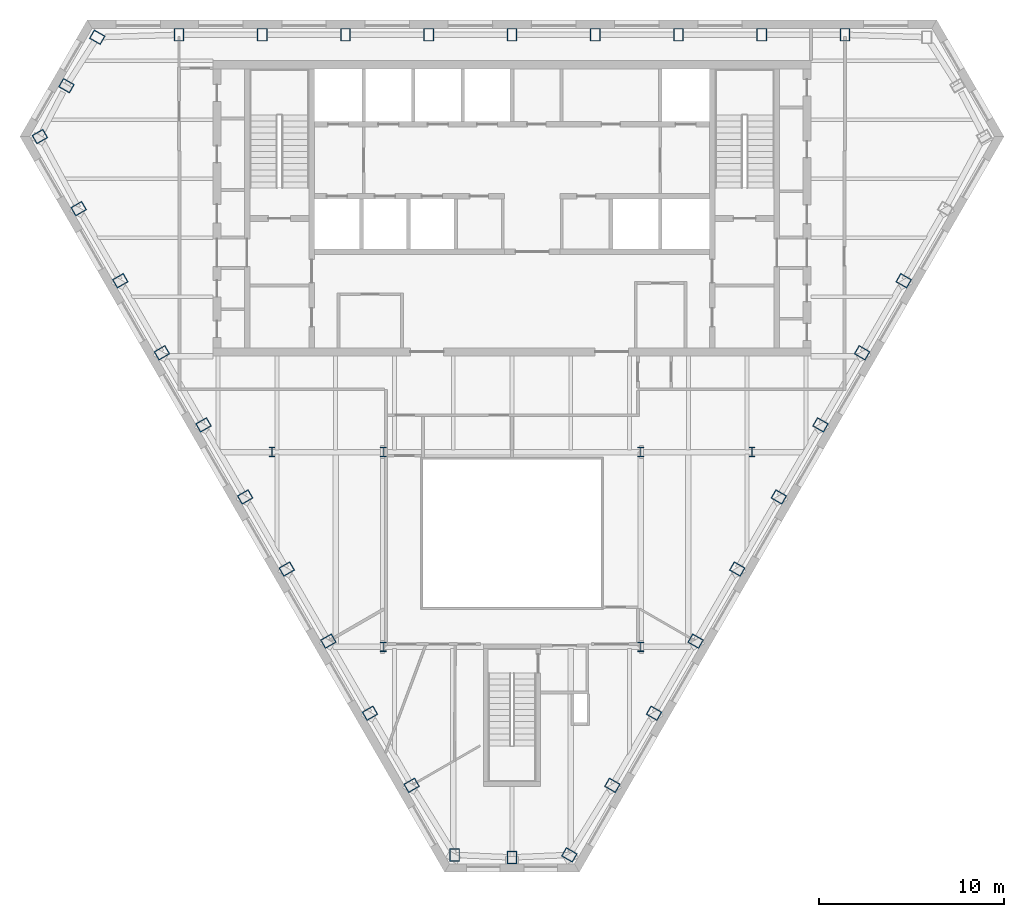
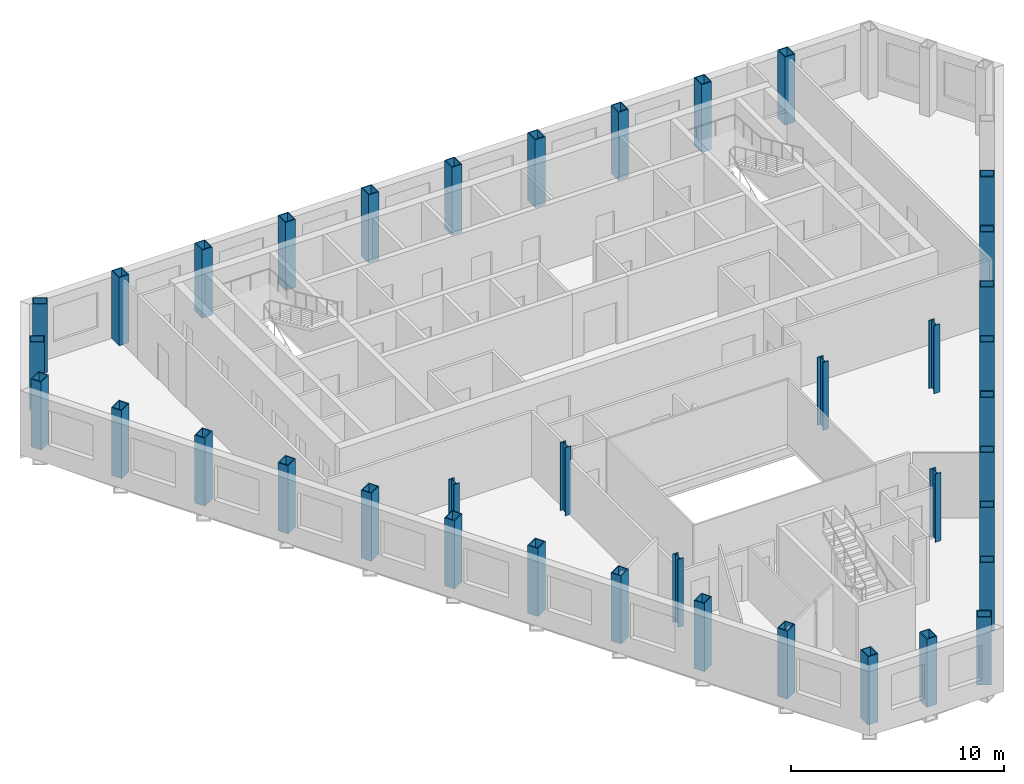
# One storey, part 1 of 11: 38 columns.
"""IFC4 building model written with IfcOpenShell, lengths in metres."""

from ifc_helpers import new_model, si_unit, direction, frame, origin, origin_2d, place, context, subcontext, project, spatial, hollow_rectangle, i_section, extrude, material, material_profile, profile_set, type_object, element, save


model = new_model("IFC4")

# Units and contexts
model_context = context("Model", 3, precision=1e-05, world=origin(), true_north=direction((0.0, 1.0)))
body_context = subcontext(model_context, "Body", "Model", "MODEL_VIEW")
ifc_project = project(units=[si_unit("LENGTHUNIT", "METRE"), si_unit("AREAUNIT", "SQUARE_METRE"), si_unit("VOLUMEUNIT", "CUBIC_METRE"), si_unit("PLANEANGLEUNIT", "RADIAN"), si_unit("MASSUNIT", "GRAM", prefix="KILO")], contexts=[model_context])

# Site, building, storey
site_placement = place(None, origin())
site = spatial("IfcSite", under=ifc_project, at=site_placement, CompositionType="ELEMENT")
building_placement = place(site_placement, origin())
building = spatial("IfcBuilding", under=site, at=building_placement, Name="Njiva Tower", CompositionType="ELEMENT")
storey_placement = place(building_placement, frame((0.0, 0.0, 204.3)))
storey = spatial("IfcBuildingStorey", under=building, at=storey_placement, Name="L45", CompositionType="ELEMENT", Elevation=204.3)

# Columns
ifc_material = material(Name="Steel S355 J2", Category="steel")
ifc_material_profile_1 = material_profile(ifc_material, hollow_rectangle(XDim=0.55, YDim=0.7, WallThickness=0.05, at=origin_2d()), Name="BOX 700x550x50")
ifc_profile_set_1 = profile_set([ifc_material_profile_1], Name="Steel S355 J2")
column_type_1 = type_object("IfcColumnType", Name="C11 Perimeter tube column BOX 700x550x50", PredefinedType="COLUMN", material=ifc_profile_set_1)
for number, where, z_axis, x_axis, name in (
    (1, (18.03, 19.4, 0.0), (0.0, 0.0, 1.0), (-1.0, 0.0, 0.0), "Perimeter tube column S15-C02"),
    (2, (13.523, 19.4, 0.0), (0.0, 0.0, 1.0), (-1.0, 0.0, 0.0), "Perimeter tube column S15-C03"),
    (3, (9.015, 19.4, 0.0), (0.0, 0.0, 1.0), (-1.0, 0.0, 0.0), "Perimeter tube column S15-C04"),
    (4, (4.508, 19.4, 0.0), (0.0, 0.0, 1.0), (-1.0, 0.0, 0.0), "Perimeter tube column S15-C05"),
    (5, (0.0, 19.4, 0.0), (0.0, 0.0, 1.0), (-1.0, 0.0, 0.0), "Perimeter tube column S15-C06"),
    (6, (-4.508, 19.4, 0.0), (0.0, 0.0, 1.0), (-1.0, 0.0, 0.0), "Perimeter tube column S15-C07"),
    (7, (-9.015, 19.4, 0.0), (0.0, 0.0, 1.0), (-1.0, 0.0, 0.0), "Perimeter tube column S15-C08"),
    (8, (-13.523, 19.4, 0.0), (0.0, 0.0, 1.0), (-1.0, 0.0, 0.0), "Perimeter tube column S15-C09"),
    (9, (-18.03, 19.4, 0.0), (0.0, 0.0, 1.0), (-1.0, 0.0, 0.0), "Perimeter tube column S15-C10"),
    (10, (-22.461, 19.267, 0.0), (0.0, 0.0, 1.0), (-0.5, -0.866025403784, 0.0), "Perimeter tube column S15-C11"),
    (11, (-24.13, 16.643, 0.0), (0.0, 0.0, 1.0), (-0.5, -0.866025403784, 0.0), "Perimeter tube column S15-C12"),
    (12, (-25.568, 13.887, 0.0), (0.0, 0.0, 1.0), (0.5, -0.866025403784, 0.0), "Perimeter tube column S15-C13"),
    (13, (-23.467, 9.983, 0.0), (0.0, 0.0, 1.0), (0.5, -0.866025403784, 0.0), "Perimeter tube column S15-C14"),
    (14, (-21.214, 6.079, 0.0), (0.0, 0.0, 1.0), (0.5, -0.866025403784, 0.0), "Perimeter tube column S15-C15"),
    (15, (-18.96, 2.176, 0.0), (0.0, 0.0, 1.0), (0.5, -0.866025403784, 0.0), "Perimeter tube column S15-C16"),
    (16, (-16.706, -1.728, 0.0), (0.0, 0.0, 1.0), (0.5, -0.866025403784, 0.0), "Perimeter tube column S15-C17"),
    (17, (-14.452, -5.632, 0.0), (0.0, 0.0, 1.0), (0.5, -0.866025403784, 0.0), "Perimeter tube column S15-C18"),
    (18, (-12.198, -9.536, 0.0), (0.0, 0.0, 1.0), (0.5, -0.866025403784, 0.0), "Perimeter tube column S15-C19"),
    (19, (-9.945, -13.439, 0.0), (0.0, 0.0, 1.0), (0.5, -0.866025403784, 0.0), "Perimeter tube column S15-C20"),
    (20, (-7.691, -17.343, 0.0), (0.0, 0.0, 1.0), (0.5, -0.866025403784, 0.0), "Perimeter tube column S15-C21"),
    (21, (-5.437, -21.247, 0.0), (0.0, 0.0, 1.0), (0.5, -0.866025403784, 0.0), "Perimeter tube column S15-C22"),
    (22, (-3.106, -25.017, 0.0), (0.0, 0.0, 1.0), (1.0, 0.0, 0.0), "Perimeter tube column S15-C23"),
    (23, (0.0, -25.15, 0.0), (0.0, 0.0, 1.0), (1.0, 0.0, 0.0), "Perimeter tube column S15-C24"),
    (24, (3.106, -25.017, 0.0), (0.0, 0.0, 1.0), (0.5, 0.866025403784, 0.0), "Perimeter tube column S15-C25"),
    (25, (5.437, -21.247, 0.0), (0.0, 0.0, 1.0), (0.5, 0.866025403784, 0.0), "Perimeter tube column S15-C26"),
    (26, (7.691, -17.343, 0.0), (0.0, 0.0, 1.0), (0.5, 0.866025403784, 0.0), "Perimeter tube column S15-C27"),
    (27, (9.945, -13.439, 0.0), (0.0, 0.0, 1.0), (0.5, 0.866025403784, 0.0), "Perimeter tube column S15-C28"),
    (28, (12.198, -9.536, 0.0), (0.0, 0.0, 1.0), (0.5, 0.866025403784, 0.0), "Perimeter tube column S15-C29"),
    (29, (14.452, -5.632, 0.0), (0.0, 0.0, 1.0), (0.5, 0.866025403784, 0.0), "Perimeter tube column S15-C30"),
    (30, (16.706, -1.728, 0.0), (0.0, 0.0, 1.0), (0.5, 0.866025403784, 0.0), "Perimeter tube column S15-C31"),
    (31, (18.96, 2.176, 0.0), (0.0, 0.0, 1.0), (0.5, 0.866025403784, 0.0), "Perimeter tube column S15-C32"),
    (32, (21.214, 6.079, 0.0), (0.0, 0.0, 1.0), (0.5, 0.866025403784, 0.0), "Perimeter tube column S15-C33"),
):
    element("IfcColumn", number, at=place(storey_placement, frame(where, z_axis=z_axis, x_axis=x_axis)), inside=storey, type_object=column_type_1, Name=name, PredefinedType="COLUMN", context=body_context, shape_type="SweptSolid", body=[
        extrude(hollow_rectangle(XDim=0.55, YDim=0.7, WallThickness=0.05, at=origin_2d()), origin(), (0.0, 0.0, 1.0), 3.9),
    ])
ifc_material_profile_2 = material_profile(ifc_material, i_section(OverallWidth=0.306, OverallDepth=0.524, WebThickness=0.021, FlangeThickness=0.04, at=origin_2d()), Name="HEM 500")
ifc_profile_set_2 = profile_set([ifc_material_profile_2], Name="Steel S355 J2")
column_type_2 = type_object("IfcColumnType", Name="C12 Interior column HEM 500", PredefinedType="COLUMN", material=ifc_profile_set_2)
for number, where, z_axis, x_axis, name in (
    (33, (6.97, -3.2, 0.0), (0.0, 0.0, 1.0), (1.0, 0.0, 0.0), "Interior column S15-C37"),
    (34, (-6.97, -3.2, 0.0), (0.0, 0.0, 1.0), (1.0, 0.0, 0.0), "Interior column S15-C38"),
    (35, (6.97, -13.75, 0.0), (0.0, 0.0, 1.0), (1.0, 0.0, 0.0), "Interior column S15-C39"),
    (36, (-6.97, -13.75, 0.0), (0.0, 0.0, 1.0), (1.0, 0.0, 0.0), "Interior column S15-C40"),
    (37, (13.0, -3.2, 0.0), (0.0, 0.0, 1.0), (1.0, 0.0, 0.0), "Interior column S15-C41"),
    (38, (-13.0, -3.2, 0.0), (0.0, 0.0, 1.0), (1.0, 0.0, 0.0), "Interior column S15-C42"),
):
    element("IfcColumn", number, at=place(storey_placement, frame(where, z_axis=z_axis, x_axis=x_axis)), inside=storey, type_object=column_type_2, Name=name, PredefinedType="COLUMN", context=body_context, shape_type="SweptSolid", body=[
        extrude(i_section(OverallWidth=0.306, OverallDepth=0.524, WebThickness=0.021, FlangeThickness=0.04, at=origin_2d()), origin(), (0.0, 0.0, 1.0), 3.9),
    ])

save(model, "model.ifc")
